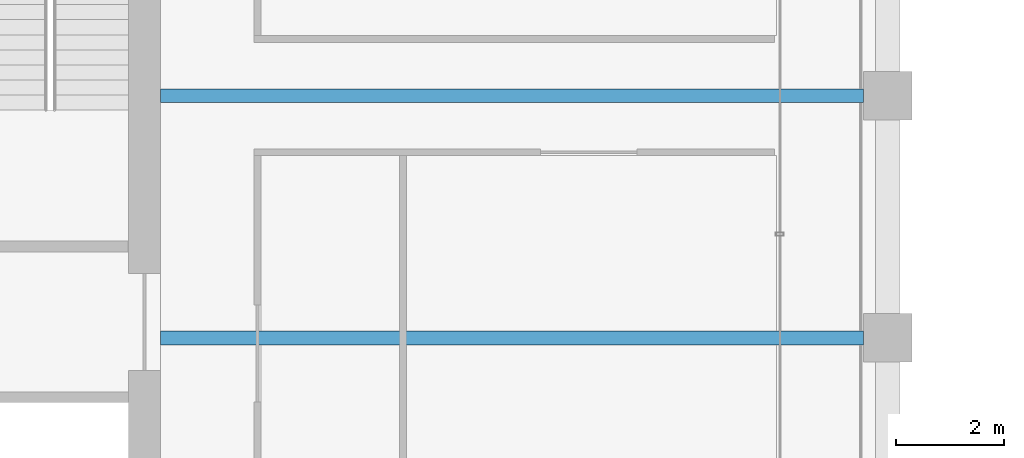
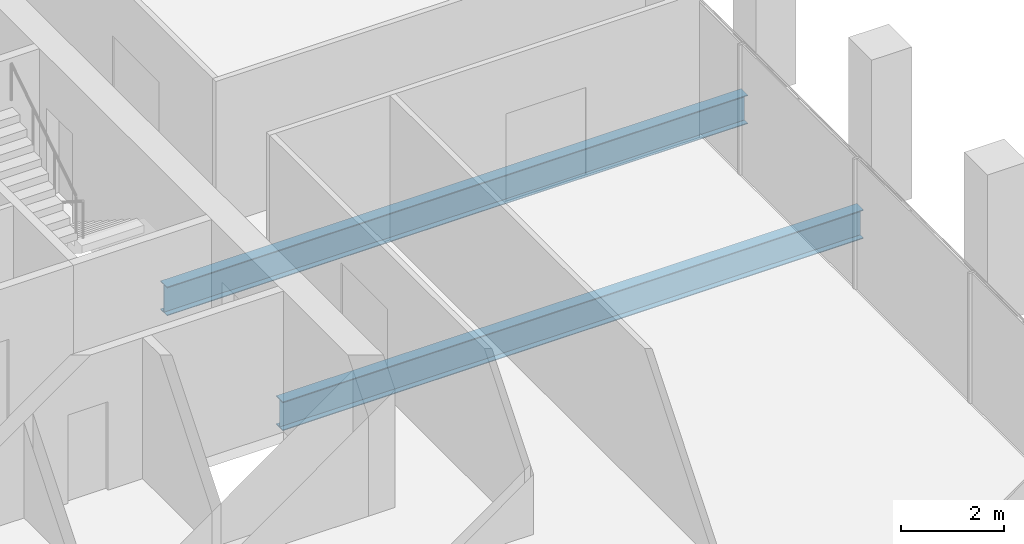
# One storey, part 16 of 40: 2 beams.
"""IFC4 building model written with IfcOpenShell, lengths in metres."""

import ifcopenshell
import ifcopenshell.guid

model = None  # the IFC model being written
_history = None  # IfcOwnerHistory: only IFC2X3 demands one
_inside = {}  # id of a spatial element -> (the spatial element, [elements in it])
_under = {}  # id of a project, library or spatial element -> (it, [spatial elements below it])
_declared = {}  # id of a project -> (the project, [libraries it declares])
_typed = {}  # id of a type object -> (the type object, [elements of that type])
_made_of = {}  # id of a material, layer set ... -> (it, [elements and type objects made of it])


def new_model(schema):
    """Start an empty IFC model of exactly this schema.

    Asked for "IFC4X3", IfcOpenShell would pick the latest addendum, in which some entities
    have other attributes; the version numbers below select the first issue.
    IFC2X3 requires an IfcOwnerHistory on every rooted entity: one is made here for all.
    """
    global model, _history
    if schema == "IFC4X3":
        model = ifcopenshell.file(schema_version=(4, 3, 0, 0))
    else:
        model = ifcopenshell.file(schema=schema)
    _inside.clear()
    _under.clear()
    _declared.clear()
    _typed.clear()
    _made_of.clear()
    _history = None
    if model.schema == "IFC2X3":
        org = make("IfcOrganization", Name="unknown")
        user = make(
            "IfcPersonAndOrganization",
            ThePerson=make("IfcPerson", FamilyName="unknown"),
            TheOrganization=org,
        )
        app = make(
            "IfcApplication",
            ApplicationDeveloper=org,
            Version="unknown",
            ApplicationFullName="unknown",
            ApplicationIdentifier="unknown",
        )
        _history = make(
            "IfcOwnerHistory",
            OwningUser=user,
            OwningApplication=app,
            ChangeAction="ADDED",
            CreationDate=0,
        )
    return model


def make(cls, **values):
    """One entity of the class cls with the attributes given. An attribute that is None is left unset."""
    return model.create_entity(
        cls, **{name: value for name, value in values.items() if value is not None}
    )


def rooted(cls, **values):
    """An entity with a GlobalId (a new one), such as an element, a storey or a relation."""
    return make(cls, GlobalId=ifcopenshell.guid.new(), OwnerHistory=_history, **values)


def si_unit(unit_type, name, prefix=None):
    """IfcSIUnit, for example si_unit("LENGTHUNIT", "METRE", prefix="MILLI")."""
    return make("IfcSIUnit", UnitType=unit_type, Prefix=prefix, Name=name)


def assignment(units):
    """IfcUnitAssignment: the units of a project."""
    return None if units is None else make("IfcUnitAssignment", Units=units)


def point(xyz):
    """IfcCartesianPoint."""
    return None if xyz is None else make("IfcCartesianPoint", Coordinates=xyz)


def direction(xyz):
    """IfcDirection."""
    return None if xyz is None else make("IfcDirection", DirectionRatios=xyz)


def frame(location, z_axis=None, x_axis=None):
    """IfcAxis2Placement3D, a coordinate frame: its origin and axes. An axis left out is left unset."""
    return make(
        "IfcAxis2Placement3D",
        Location=point(location),
        Axis=direction(z_axis),
        RefDirection=direction(x_axis),
    )


def frame_2d(location, x_axis=None):
    """IfcAxis2Placement2D, a coordinate frame in the plane: its origin and x axis."""
    return make(
        "IfcAxis2Placement2D", Location=point(location), RefDirection=direction(x_axis)
    )


def origin():
    """The frame at (0, 0, 0) with its axes left unset."""
    return frame((0.0, 0.0, 0.0))


def origin_2d():
    """The frame at (0, 0) in the plane with its x axis left unset."""
    return frame_2d((0.0, 0.0))


def place(relative_to, where):
    """IfcLocalPlacement: puts the frame where relative to a parent placement (None: the world)."""
    return make(
        "IfcLocalPlacement", PlacementRelTo=relative_to, RelativePlacement=where
    )


def context(
    kind, dimensions, precision=None, world=None, true_north=None, identifier=None
):
    """IfcGeometricRepresentationContext, for example the 3D "Model" context."""
    return make(
        "IfcGeometricRepresentationContext",
        ContextIdentifier=identifier,
        ContextType=kind,
        CoordinateSpaceDimension=dimensions,
        Precision=precision,
        WorldCoordinateSystem=world,
        TrueNorth=true_north,
    )


def subcontext(parent, identifier, kind, view, scale=None):
    """IfcGeometricRepresentationSubContext, for example "Body" below "Model"."""
    return make(
        "IfcGeometricRepresentationSubContext",
        ContextIdentifier=identifier,
        ContextType=kind,
        ParentContext=parent,
        TargetScale=scale,
        TargetView=view,
    )


def project(units=None, contexts=None):
    """IfcProject with its units and contexts."""
    return rooted(
        "IfcProject",
        Name="project",
        RepresentationContexts=contexts,
        UnitsInContext=assignment(units),
    )


def spatial(cls, under=None, at=None, **own):
    """A site, building, storey or space (cls), placed at a placement, below another one or the project."""
    s = rooted(cls, ObjectPlacement=at, **own)
    if under is not None:
        _under.setdefault(under.id(), (under, []))[1].append(s)
    return s


def profile(cls, at=None, kind="AREA", **sizes):
    """A parametric profile (cls). Its sizes go by their IFC names, for example OverallWidth=200.0."""
    return make(cls, ProfileType=kind, Position=at, **sizes)


def i_section(**sizes):
    """IfcIShapeProfileDef."""
    return profile("IfcIShapeProfileDef", **sizes)


def extrude(swept, where, along, depth):
    """IfcExtrudedAreaSolid: the profile swept, set in the frame where, extruded along a direction by depth."""
    return make(
        "IfcExtrudedAreaSolid",
        SweptArea=swept,
        Position=where,
        ExtrudedDirection=direction(along),
        Depth=depth,
    )


def shape(context_of_items, identifier, shape_type, items):
    """IfcShapeRepresentation: the items that make up one representation, for example the "Body"."""
    return make(
        "IfcShapeRepresentation",
        ContextOfItems=context_of_items,
        RepresentationIdentifier=identifier,
        RepresentationType=shape_type,
        Items=items,
    )


def material(Name=None, Category=None):
    """IfcMaterial."""
    return make("IfcMaterial", Name=Name, Category=Category)


def material_profile(
    of_material, cross_section, Name=None, Category=None, Priority=None
):
    """IfcMaterialProfile: a cross section and its material."""
    return make(
        "IfcMaterialProfile",
        Name=Name,
        Material=of_material,
        Profile=cross_section,
        Priority=Priority,
        Category=Category,
    )


def profile_set(profiles, Name=None, composite=None):
    """IfcMaterialProfileSet."""
    return make(
        "IfcMaterialProfileSet",
        Name=Name,
        MaterialProfiles=profiles,
        CompositeProfile=composite,
    )


def made_of(thing, what):
    """Note that an element or type object is made of a material, layer set ...; save() writes the relation."""
    if what is not None:
        _made_of.setdefault(what.id(), (what, []))[1].append(thing)
    return thing


def type_object(cls, material=None, **own):
    """A type object (cls), such as IfcWallType, which elements share."""
    return made_of(rooted(cls, **own), material)


def element(
    cls,
    number,
    at=None,
    inside=None,
    cuts=None,
    type_object=None,
    material=None,
    context=None,
    identifier="Body",
    shape_type=None,
    held_by="IfcProductDefinitionShape",
    body=None,
    shapes=None,
    **own,
):
    """One element of the class cls, such as IfcWall. Its Tag is "e" and its number.

    at: its placement. inside: the storey or other place that contains it. cuts: it is an
    opening in that element (IfcRelVoidsElement). A single representation is given by context,
    identifier, shape_type and body (its items); several are given by shapes. held_by: the class
    of the entity that holds the representations. save() writes the other relations.
    """
    e = rooted(cls, Tag="e%d" % number, ObjectPlacement=at, **own)
    if body is not None:
        shapes = [shape(context, identifier, shape_type, body)]
    if shapes is not None:
        e.Representation = make(held_by, Representations=shapes)
    if inside is not None:
        _inside.setdefault(inside.id(), (inside, []))[1].append(e)
    if cuts is not None:
        rooted(
            "IfcRelVoidsElement", RelatingBuildingElement=cuts, RelatedOpeningElement=e
        )
    if type_object is not None:
        _typed.setdefault(type_object.id(), (type_object, []))[1].append(e)
    return made_of(e, material)


def aggregate(whole, parts):
    """IfcRelAggregates: a whole, such as a stair, and the parts it consists of."""
    return rooted("IfcRelAggregates", RelatingObject=whole, RelatedObjects=parts)


def save(model, path):
    """Write the relations noted so far, then the file.

    IfcRelAggregates (storeys below a building ...), IfcRelContainedInSpatialStructure (elements
    in a storey), IfcRelDefinesByType, IfcRelAssociatesMaterial and IfcRelDeclares: one each for
    every whole, place, type object, material and project.
    """
    for whole, parts in _under.values():
        aggregate(whole, parts)
    for where, things in _inside.values():
        rooted(
            "IfcRelContainedInSpatialStructure",
            RelatedElements=things,
            RelatingStructure=where,
        )
    for kind, things in _typed.values():
        rooted("IfcRelDefinesByType", RelatedObjects=things, RelatingType=kind)
    for what, things in _made_of.values():
        rooted("IfcRelAssociatesMaterial", RelatedObjects=things, RelatingMaterial=what)
    for by, libraries in _declared.values():
        rooted("IfcRelDeclares", RelatingContext=by, RelatedDefinitions=libraries)
    model.write(path)


model = new_model("IFC4")

# Units and contexts
model_context = context("Model", 3, precision=1e-05, world=origin(), true_north=direction((0.0, 1.0)))
body_context = subcontext(model_context, "Body", "Model", "MODEL_VIEW")
ifc_project = project(units=[si_unit("LENGTHUNIT", "METRE"), si_unit("AREAUNIT", "SQUARE_METRE"), si_unit("VOLUMEUNIT", "CUBIC_METRE"), si_unit("PLANEANGLEUNIT", "RADIAN"), si_unit("MASSUNIT", "GRAM", prefix="KILO")], contexts=[model_context])

# Site, building, storey
site_placement = place(None, origin())
site = spatial("IfcSite", under=ifc_project, at=site_placement, CompositionType="ELEMENT")
building_placement = place(site_placement, origin())
building = spatial("IfcBuilding", under=site, at=building_placement, Name="Altepetl Exchange Towers", CompositionType="ELEMENT")
storey_placement = place(building_placement, frame((0.0, 0.0, 161.800048828125)))
storey = spatial("IfcBuildingStorey", under=building, at=storey_placement, Name="L40", CompositionType="ELEMENT", Elevation=161.800048828125)

# Beams
ifc_material = material(Name="Steel S355", Category="steel")
ifc_material_profile = material_profile(ifc_material, i_section(OverallWidth=0.25390625, OverallDepth=0.68408203125, WebThickness=0.012451171875, FlangeThickness=0.018798828125, at=origin_2d()), Name="W27X94")
ifc_profile_set = profile_set([ifc_material_profile], Name="Steel S355")
beam_type = type_object("IfcBeamType", Name="Floor beam W27X94", PredefinedType="BEAM", material=ifc_profile_set)
for number, where, z_axis, x_axis, name in (
    (1, (58.5, 45.0, -0.491943359375), (1.0, 0.0, 0.0), (0.0, 1.0, 0.0), "bm:A:L40:009"),
    (2, (58.5, 49.5, -0.491943359375), (1.0, 0.0, 0.0), (0.0, 1.0, 0.0), "bm:A:L40:010"),
):
    element("IfcBeam", number, at=place(storey_placement, frame(where, z_axis=z_axis, x_axis=x_axis)), inside=storey, type_object=beam_type, Name=name, PredefinedType="BEAM", context=body_context, shape_type="SweptSolid", body=[
        extrude(i_section(OverallWidth=0.25390625, OverallDepth=0.68408203125, WebThickness=0.012451171875, FlangeThickness=0.018798828125, at=origin_2d()), origin(), (0.0, 0.0, 1.0), 13.050048828125),
    ])

save(model, "model.ifc")
